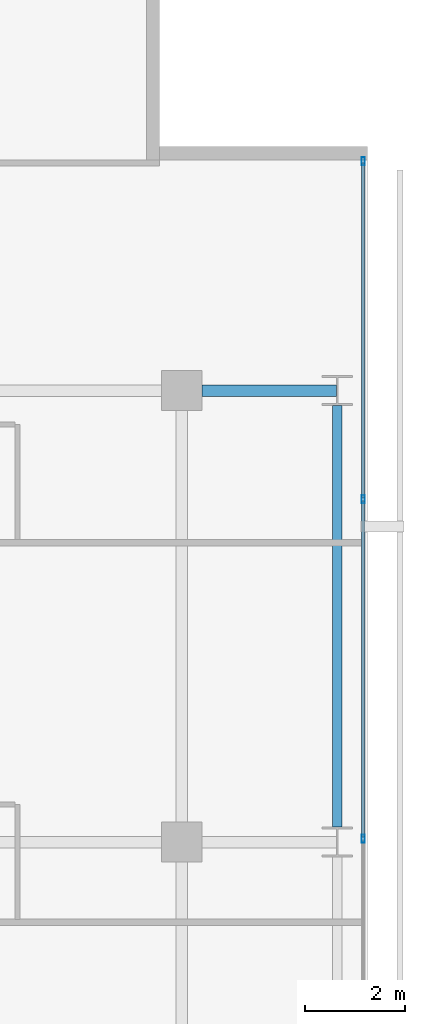
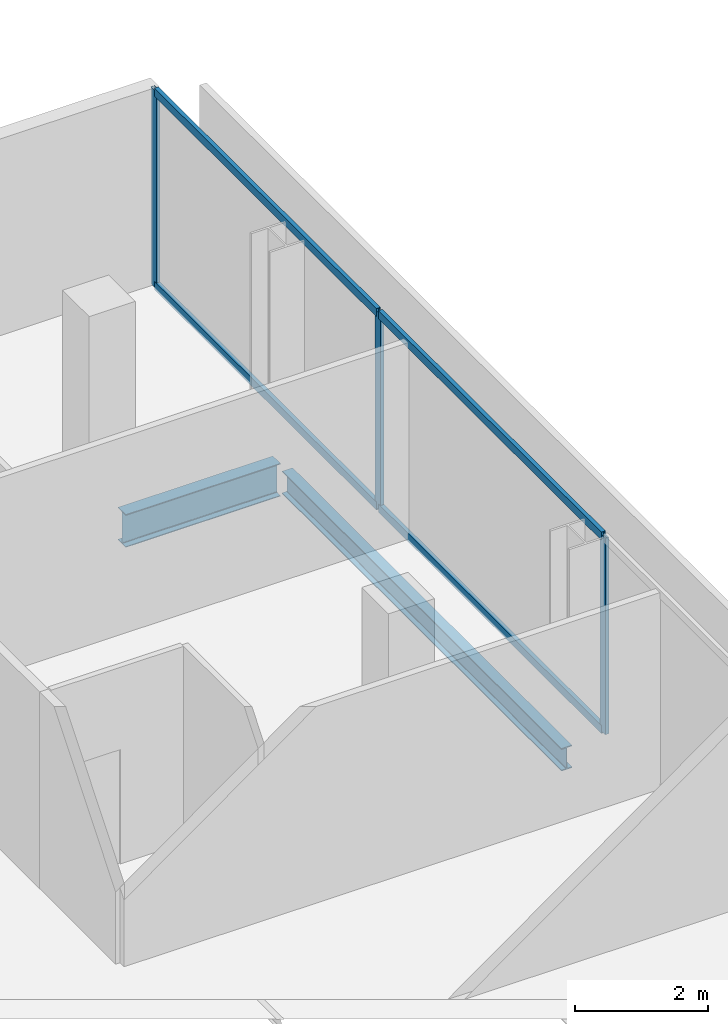
# One storey, part 24 of 34: 7 members, 2 beams, 1 element without a shape of its own.
"""IFC4 building model written with IfcOpenShell, lengths in metres."""

import ifcopenshell
import ifcopenshell.guid

model = None  # the IFC model being written
_history = None  # IfcOwnerHistory: only IFC2X3 demands one
_inside = {}  # id of a spatial element -> (the spatial element, [elements in it])
_under = {}  # id of a project, library or spatial element -> (it, [spatial elements below it])
_declared = {}  # id of a project -> (the project, [libraries it declares])
_typed = {}  # id of a type object -> (the type object, [elements of that type])
_made_of = {}  # id of a material, layer set ... -> (it, [elements and type objects made of it])


def new_model(schema):
    """Start an empty IFC model of exactly this schema.

    Asked for "IFC4X3", IfcOpenShell would pick the latest addendum, in which some entities
    have other attributes; the version numbers below select the first issue.
    IFC2X3 requires an IfcOwnerHistory on every rooted entity: one is made here for all.
    """
    global model, _history
    if schema == "IFC4X3":
        model = ifcopenshell.file(schema_version=(4, 3, 0, 0))
    else:
        model = ifcopenshell.file(schema=schema)
    _inside.clear()
    _under.clear()
    _declared.clear()
    _typed.clear()
    _made_of.clear()
    _history = None
    if model.schema == "IFC2X3":
        org = make("IfcOrganization", Name="unknown")
        user = make(
            "IfcPersonAndOrganization",
            ThePerson=make("IfcPerson", FamilyName="unknown"),
            TheOrganization=org,
        )
        app = make(
            "IfcApplication",
            ApplicationDeveloper=org,
            Version="unknown",
            ApplicationFullName="unknown",
            ApplicationIdentifier="unknown",
        )
        _history = make(
            "IfcOwnerHistory",
            OwningUser=user,
            OwningApplication=app,
            ChangeAction="ADDED",
            CreationDate=0,
        )
    return model


def make(cls, **values):
    """One entity of the class cls with the attributes given. An attribute that is None is left unset."""
    return model.create_entity(
        cls, **{name: value for name, value in values.items() if value is not None}
    )


def rooted(cls, **values):
    """An entity with a GlobalId (a new one), such as an element, a storey or a relation."""
    return make(cls, GlobalId=ifcopenshell.guid.new(), OwnerHistory=_history, **values)


def si_unit(unit_type, name, prefix=None):
    """IfcSIUnit, for example si_unit("LENGTHUNIT", "METRE", prefix="MILLI")."""
    return make("IfcSIUnit", UnitType=unit_type, Prefix=prefix, Name=name)


def assignment(units):
    """IfcUnitAssignment: the units of a project."""
    return None if units is None else make("IfcUnitAssignment", Units=units)


def point(xyz):
    """IfcCartesianPoint."""
    return None if xyz is None else make("IfcCartesianPoint", Coordinates=xyz)


def direction(xyz):
    """IfcDirection."""
    return None if xyz is None else make("IfcDirection", DirectionRatios=xyz)


def frame(location, z_axis=None, x_axis=None):
    """IfcAxis2Placement3D, a coordinate frame: its origin and axes. An axis left out is left unset."""
    return make(
        "IfcAxis2Placement3D",
        Location=point(location),
        Axis=direction(z_axis),
        RefDirection=direction(x_axis),
    )


def frame_2d(location, x_axis=None):
    """IfcAxis2Placement2D, a coordinate frame in the plane: its origin and x axis."""
    return make(
        "IfcAxis2Placement2D", Location=point(location), RefDirection=direction(x_axis)
    )


def origin():
    """The frame at (0, 0, 0) with its axes left unset."""
    return frame((0.0, 0.0, 0.0))


def origin_2d():
    """The frame at (0, 0) in the plane with its x axis left unset."""
    return frame_2d((0.0, 0.0))


def place(relative_to, where):
    """IfcLocalPlacement: puts the frame where relative to a parent placement (None: the world)."""
    return make(
        "IfcLocalPlacement", PlacementRelTo=relative_to, RelativePlacement=where
    )


def context(
    kind, dimensions, precision=None, world=None, true_north=None, identifier=None
):
    """IfcGeometricRepresentationContext, for example the 3D "Model" context."""
    return make(
        "IfcGeometricRepresentationContext",
        ContextIdentifier=identifier,
        ContextType=kind,
        CoordinateSpaceDimension=dimensions,
        Precision=precision,
        WorldCoordinateSystem=world,
        TrueNorth=true_north,
    )


def subcontext(parent, identifier, kind, view, scale=None):
    """IfcGeometricRepresentationSubContext, for example "Body" below "Model"."""
    return make(
        "IfcGeometricRepresentationSubContext",
        ContextIdentifier=identifier,
        ContextType=kind,
        ParentContext=parent,
        TargetScale=scale,
        TargetView=view,
    )


def project(units=None, contexts=None):
    """IfcProject with its units and contexts."""
    return rooted(
        "IfcProject",
        Name="project",
        RepresentationContexts=contexts,
        UnitsInContext=assignment(units),
    )


def spatial(cls, under=None, at=None, **own):
    """A site, building, storey or space (cls), placed at a placement, below another one or the project."""
    s = rooted(cls, ObjectPlacement=at, **own)
    if under is not None:
        _under.setdefault(under.id(), (under, []))[1].append(s)
    return s


def profile(cls, at=None, kind="AREA", **sizes):
    """A parametric profile (cls). Its sizes go by their IFC names, for example OverallWidth=200.0."""
    return make(cls, ProfileType=kind, Position=at, **sizes)


def hollow_rectangle(**sizes):
    """IfcRectangleHollowProfileDef."""
    return profile("IfcRectangleHollowProfileDef", **sizes)


def i_section(**sizes):
    """IfcIShapeProfileDef."""
    return profile("IfcIShapeProfileDef", **sizes)


def extrude(swept, where, along, depth):
    """IfcExtrudedAreaSolid: the profile swept, set in the frame where, extruded along a direction by depth."""
    return make(
        "IfcExtrudedAreaSolid",
        SweptArea=swept,
        Position=where,
        ExtrudedDirection=direction(along),
        Depth=depth,
    )


def shape(context_of_items, identifier, shape_type, items):
    """IfcShapeRepresentation: the items that make up one representation, for example the "Body"."""
    return make(
        "IfcShapeRepresentation",
        ContextOfItems=context_of_items,
        RepresentationIdentifier=identifier,
        RepresentationType=shape_type,
        Items=items,
    )


def material(Name=None, Category=None):
    """IfcMaterial."""
    return make("IfcMaterial", Name=Name, Category=Category)


def layer(
    of_material, thickness, ventilated=None, Name=None, Category=None, Priority=None
):
    """IfcMaterialLayer: one layer of a wall or slab, of a material (None: an air gap)."""
    return make(
        "IfcMaterialLayer",
        Material=of_material,
        LayerThickness=thickness,
        IsVentilated=ventilated,
        Name=Name,
        Category=Category,
        Priority=Priority,
    )


def layer_set(layers, Name=None):
    """IfcMaterialLayerSet."""
    return make("IfcMaterialLayerSet", MaterialLayers=layers, LayerSetName=Name)


def material_profile(
    of_material, cross_section, Name=None, Category=None, Priority=None
):
    """IfcMaterialProfile: a cross section and its material."""
    return make(
        "IfcMaterialProfile",
        Name=Name,
        Material=of_material,
        Profile=cross_section,
        Priority=Priority,
        Category=Category,
    )


def profile_set(profiles, Name=None, composite=None):
    """IfcMaterialProfileSet."""
    return make(
        "IfcMaterialProfileSet",
        Name=Name,
        MaterialProfiles=profiles,
        CompositeProfile=composite,
    )


def made_of(thing, what):
    """Note that an element or type object is made of a material, layer set ...; save() writes the relation."""
    if what is not None:
        _made_of.setdefault(what.id(), (what, []))[1].append(thing)
    return thing


def type_object(cls, material=None, **own):
    """A type object (cls), such as IfcWallType, which elements share."""
    return made_of(rooted(cls, **own), material)


def element(
    cls,
    number,
    at=None,
    inside=None,
    cuts=None,
    type_object=None,
    material=None,
    context=None,
    identifier="Body",
    shape_type=None,
    held_by="IfcProductDefinitionShape",
    body=None,
    shapes=None,
    **own,
):
    """One element of the class cls, such as IfcWall. Its Tag is "e" and its number.

    at: its placement. inside: the storey or other place that contains it. cuts: it is an
    opening in that element (IfcRelVoidsElement). A single representation is given by context,
    identifier, shape_type and body (its items); several are given by shapes. held_by: the class
    of the entity that holds the representations. save() writes the other relations.
    """
    e = rooted(cls, Tag="e%d" % number, ObjectPlacement=at, **own)
    if body is not None:
        shapes = [shape(context, identifier, shape_type, body)]
    if shapes is not None:
        e.Representation = make(held_by, Representations=shapes)
    if inside is not None:
        _inside.setdefault(inside.id(), (inside, []))[1].append(e)
    if cuts is not None:
        rooted(
            "IfcRelVoidsElement", RelatingBuildingElement=cuts, RelatedOpeningElement=e
        )
    if type_object is not None:
        _typed.setdefault(type_object.id(), (type_object, []))[1].append(e)
    return made_of(e, material)


def aggregate(whole, parts):
    """IfcRelAggregates: a whole, such as a stair, and the parts it consists of."""
    return rooted("IfcRelAggregates", RelatingObject=whole, RelatedObjects=parts)


def save(model, path):
    """Write the relations noted so far, then the file.

    IfcRelAggregates (storeys below a building ...), IfcRelContainedInSpatialStructure (elements
    in a storey), IfcRelDefinesByType, IfcRelAssociatesMaterial and IfcRelDeclares: one each for
    every whole, place, type object, material and project.
    """
    for whole, parts in _under.values():
        aggregate(whole, parts)
    for where, things in _inside.values():
        rooted(
            "IfcRelContainedInSpatialStructure",
            RelatedElements=things,
            RelatingStructure=where,
        )
    for kind, things in _typed.values():
        rooted("IfcRelDefinesByType", RelatedObjects=things, RelatingType=kind)
    for what, things in _made_of.values():
        rooted("IfcRelAssociatesMaterial", RelatedObjects=things, RelatingMaterial=what)
    for by, libraries in _declared.values():
        rooted("IfcRelDeclares", RelatingContext=by, RelatedDefinitions=libraries)
    model.write(path)


model = new_model("IFC4")

# Units and contexts
model_context = context("Model", 3, precision=1e-05, world=origin(), true_north=direction((0.0, 1.0)))
body_context = subcontext(model_context, "Body", "Model", "MODEL_VIEW")
ifc_project = project(units=[si_unit("LENGTHUNIT", "METRE"), si_unit("AREAUNIT", "SQUARE_METRE"), si_unit("VOLUMEUNIT", "CUBIC_METRE"), si_unit("PLANEANGLEUNIT", "RADIAN"), si_unit("MASSUNIT", "GRAM", prefix="KILO")], contexts=[model_context])

# Site, building, storey
site_placement = place(None, origin())
site = spatial("IfcSite", under=ifc_project, at=site_placement, CompositionType="ELEMENT")
building_placement = place(site_placement, origin())
building = spatial("IfcBuilding", under=site, at=building_placement, Name="Maruvema Waterfront Hotel and Observation Tower", CompositionType="ELEMENT")
storey_placement = place(building_placement, frame((0.0, 0.0, 189.0)))
storey = spatial("IfcBuildingStorey", under=building, at=storey_placement, Name="L46", CompositionType="ELEMENT", Elevation=189.0)

# Curtain wall, members
ifc_material_1 = material(Name="Anodised bronze aluminium and solar-control low-E IGU", Category="aluminium")
ifc_layer = layer(ifc_material_1, 0.159912109375, Name="Zone 2 Amber Inner Thermal Curtain Wall System CW-03")
ifc_layer_set = layer_set([ifc_layer], Name="Anodised bronze aluminium and solar-control low-E IGU")
curtain_wall_type = type_object("IfcCurtainWallType", Name="Zone 2 Amber Inner Thermal Curtain Wall System CW-03", PredefinedType="USERDEFINED", material=ifc_layer_set)
curtain_wall_placement = place(storey_placement, origin())
curtain_wall = element("IfcCurtainWall", 1, at=curtain_wall_placement, inside=storey, type_object=curtain_wall_type, Name="L46 Curtain Wall CW-L46-E", ObjectType="UNITISED CURTAIN WALL", PredefinedType="USERDEFINED")
ifc_material_2 = material(Name="Anodised architectural bronze aluminium", Category="aluminium")
ifc_material_profile_1 = material_profile(ifc_material_2, hollow_rectangle(XDim=0.070068359375, YDim=0.14990234375, WallThickness=0.00390625, at=origin_2d()), Name="ALU-T70x150")
ifc_profile_set_1 = profile_set([ifc_material_profile_1], Name="Anodised architectural bronze aluminium")
member_type_1 = type_object("IfcMemberType", Name="Curtain Wall Horizontal Transom ALU-T70x150", PredefinedType="USERDEFINED", material=ifc_profile_set_1)
member_1_placement = place(storey_placement, frame((62.419921875, 36.0966796875, 0.030029296875), z_axis=(0.0, 1.0, 0.0), x_axis=(-1.0, 0.0, 0.0)))
member_1 = element("IfcMember", 2, at=member_1_placement, type_object=member_type_1, Name="CW-03 transom 5.1", ObjectType="TRANSOM", PredefinedType="USERDEFINED", context=body_context, shape_type="SweptSolid", body=[
    extrude(hollow_rectangle(XDim=0.070068359375, YDim=0.14990234375, WallThickness=0.00390625, at=origin_2d()), origin(), (0.0, 0.0, 1.0), 6.70654296875),
])
member_2_placement = place(storey_placement, frame((62.419921875, 36.0966796875, 3.580078125), z_axis=(0.0, 1.0, 0.0), x_axis=(-1.0, 0.0, 0.0)))
member_2 = element("IfcMember", 3, at=member_2_placement, type_object=member_type_1, Name="CW-03 transom 5.2", ObjectType="TRANSOM", PredefinedType="USERDEFINED", context=body_context, shape_type="SweptSolid", body=[
    extrude(hollow_rectangle(XDim=0.070068359375, YDim=0.14990234375, WallThickness=0.00390625, at=origin_2d()), origin(), (0.0, 0.0, 1.0), 6.70654296875),
])
member_3_placement = place(storey_placement, frame((62.419921875, 42.86328125, 0.030029296875), z_axis=(0.0, 1.0, 0.0), x_axis=(-1.0, 0.0, 0.0)))
member_3 = element("IfcMember", 4, at=member_3_placement, type_object=member_type_1, Name="CW-03 transom 6.1", ObjectType="TRANSOM", PredefinedType="USERDEFINED", context=body_context, shape_type="SweptSolid", body=[
    extrude(hollow_rectangle(XDim=0.070068359375, YDim=0.14990234375, WallThickness=0.00390625, at=origin_2d()), origin(), (0.0, 0.0, 1.0), 6.6767578125),
])
member_4_placement = place(storey_placement, frame((62.419921875, 42.86328125, 3.580078125), z_axis=(0.0, 1.0, 0.0), x_axis=(-1.0, 0.0, 0.0)))
member_4 = element("IfcMember", 5, at=member_4_placement, type_object=member_type_1, Name="CW-03 transom 6.2", ObjectType="TRANSOM", PredefinedType="USERDEFINED", context=body_context, shape_type="SweptSolid", body=[
    extrude(hollow_rectangle(XDim=0.070068359375, YDim=0.14990234375, WallThickness=0.00390625, at=origin_2d()), origin(), (0.0, 0.0, 1.0), 6.6767578125),
])
ifc_material_3 = material(Name="Anodised architectural bronze aluminium", Category="aluminium")
ifc_material_profile_2 = material_profile(ifc_material_3, hollow_rectangle(XDim=0.06494140625, YDim=0.1650390625, WallThickness=0.00390625, at=origin_2d()), Name="ALU-M65x165")
ifc_profile_set_2 = profile_set([ifc_material_profile_2], Name="Anodised architectural bronze aluminium")
member_type_2 = type_object("IfcMemberType", Name="Curtain Wall Primary Mullion ALU-M65x165", PredefinedType="MULLION", material=ifc_profile_set_2)
member_5_placement = place(storey_placement, frame((62.419921875, 36.066650390625, 0.0), z_axis=(0.0, 0.0, 1.0), x_axis=(-1.0, 0.0, 0.0)))
member_5 = element("IfcMember", 6, at=member_5_placement, type_object=member_type_2, Name="CW-03 mullion 5", PredefinedType="MULLION", context=body_context, shape_type="SweptSolid", body=[
    extrude(hollow_rectangle(XDim=0.06494140625, YDim=0.1650390625, WallThickness=0.00390625, at=origin_2d()), origin(), (0.0, 0.0, 1.0), 3.610107421875),
])
member_6_placement = place(storey_placement, frame((62.419921875, 42.833251953125, 0.0), z_axis=(0.0, 0.0, 1.0), x_axis=(-1.0, 0.0, 0.0)))
member_6 = element("IfcMember", 7, at=member_6_placement, type_object=member_type_2, Name="CW-03 mullion 6", PredefinedType="MULLION", context=body_context, shape_type="SweptSolid", body=[
    extrude(hollow_rectangle(XDim=0.06494140625, YDim=0.1650390625, WallThickness=0.00390625, at=origin_2d()), origin(), (0.0, 0.0, 1.0), 3.610107421875),
])
member_7_placement = place(storey_placement, frame((62.419921875, 49.570068359375, 0.0), z_axis=(0.0, 0.0, 1.0), x_axis=(-1.0, 0.0, 0.0)))
member_7 = element("IfcMember", 8, at=member_7_placement, type_object=member_type_2, Name="CW-03 mullion 7", PredefinedType="MULLION", context=body_context, shape_type="SweptSolid", body=[
    extrude(hollow_rectangle(XDim=0.06494140625, YDim=0.1650390625, WallThickness=0.00390625, at=origin_2d()), origin(), (0.0, 0.0, 1.0), 3.610107421875),
])
aggregate(curtain_wall, [member_5, member_6, member_7, member_1, member_2, member_3, member_4])

# Beams
ifc_material_4 = material(Name="Steel ASTM A572 Grade 50", Category="steel")
ifc_material_profile_3 = material_profile(ifc_material_4, i_section(OverallWidth=0.180908203125, OverallDepth=0.4169921875, WebThickness=0.010986328125, FlangeThickness=0.018310546875, FilletRadius=0.014892578125, at=origin_2d()), Name="W410x85.0")
ifc_profile_set_3 = profile_set([ifc_material_profile_3], Name="Steel ASTM A572 Grade 50")
beam_type_1 = type_object("IfcBeamType", Name="Perimeter Spandrel Beam W410x85.0", PredefinedType="SPANDREL", material=ifc_profile_set_3)
beam_1_placement = place(storey_placement, frame((61.89990234375, 36.300048828125, -0.448486328125), z_axis=(0.0, 1.0, 0.0), x_axis=(-1.0, 0.0, 0.0)))
element("IfcBeam", 9, at=beam_1_placement, inside=storey, type_object=beam_type_1, Name="L46 Floor Girder NS-32", PredefinedType="SPANDREL", context=body_context, shape_type="SweptSolid", body=[
    extrude(i_section(OverallWidth=0.180908203125, OverallDepth=0.4169921875, WebThickness=0.010986328125, FlangeThickness=0.018310546875, FilletRadius=0.014892578125, at=origin_2d()), origin(), (0.0, 0.0, 1.0), 8.39990234375),
])
ifc_material_5 = material(Name="Steel ASTM A572 Grade 50", Category="steel")
ifc_material_profile_4 = material_profile(ifc_material_5, i_section(OverallWidth=0.22802734375, OverallDepth=0.60302734375, WebThickness=0.010498046875, FlangeThickness=0.014892578125, FilletRadius=0.01806640625, at=origin_2d()), Name="W610x101.0")
ifc_profile_set_4 = profile_set([ifc_material_profile_4], Name="Steel ASTM A572 Grade 50")
beam_type_2 = type_object("IfcBeamType", Name="Primary Floor Girder W610x101.0", PredefinedType="BEAM", material=ifc_profile_set_4)
beam_2_placement = place(storey_placement, frame((59.199951171875, 45.0, -0.54150390625), z_axis=(1.0, 0.0, 0.0), x_axis=(0.0, 1.0, 0.0)))
element("IfcBeam", 10, at=beam_2_placement, inside=storey, type_object=beam_type_2, Name="L46 Floor Girder EW-33", PredefinedType="BEAM", context=body_context, shape_type="SweptSolid", body=[
    extrude(i_section(OverallWidth=0.22802734375, OverallDepth=0.60302734375, WebThickness=0.010498046875, FlangeThickness=0.014892578125, FilletRadius=0.01806640625, at=origin_2d()), origin(), (0.0, 0.0, 1.0), 2.6875),
])

save(model, "model.ifc")
